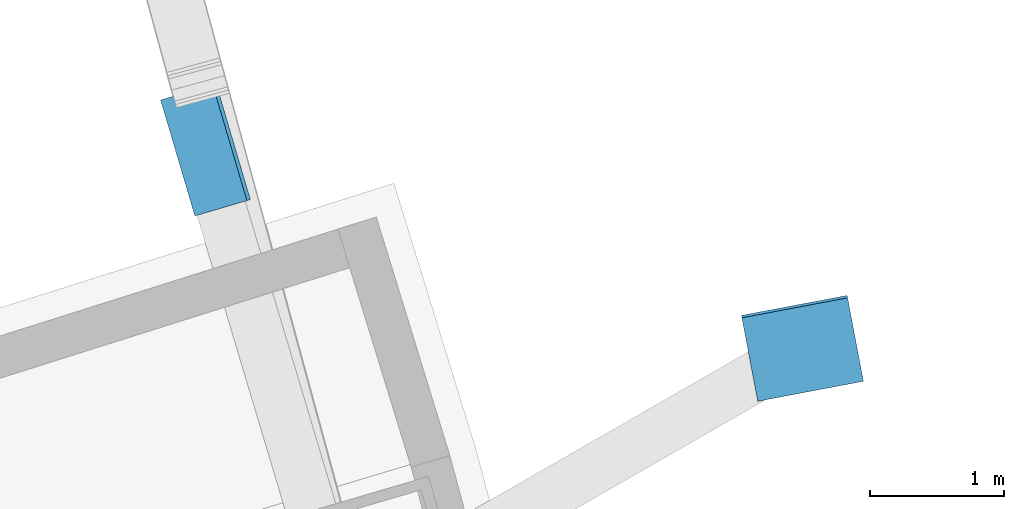
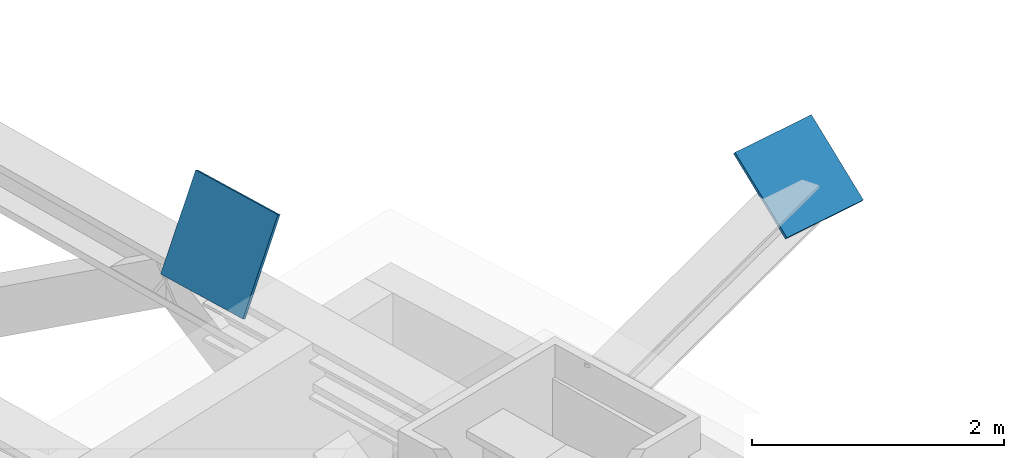
# One storey, part 21 of 26: 2 discrete accessories.
"""IFC4 building model written with IfcOpenShell, lengths in metres."""

from ifc_helpers import new_model, si_unit, direction, frame, origin, origin_2d, place, context, subcontext, project, spatial, rectangle, extrude, material, material_profile, profile_set, type_object, element, save


model = new_model("IFC4")

# Units and contexts
model_context = context("Model", 3, precision=1e-05, world=origin(), true_north=direction((0.0, 1.0)))
body_context = subcontext(model_context, "Body", "Model", "MODEL_VIEW")
ifc_project = project(units=[si_unit("LENGTHUNIT", "METRE"), si_unit("AREAUNIT", "SQUARE_METRE"), si_unit("VOLUMEUNIT", "CUBIC_METRE"), si_unit("PLANEANGLEUNIT", "RADIAN"), si_unit("MASSUNIT", "GRAM", prefix="KILO")], contexts=[model_context])

# Site, building, storey
site_placement = place(None, origin())
site = spatial("IfcSite", under=ifc_project, at=site_placement, CompositionType="ELEMENT")
building_placement = place(site_placement, origin())
building = spatial("IfcBuilding", under=site, at=building_placement, Name="Alderwake Tower", CompositionType="ELEMENT")
storey_placement = place(building_placement, frame((0.0, 0.0, 132.800048828125)))
storey = spatial("IfcBuildingStorey", under=building, at=storey_placement, Name="L32", CompositionType="ELEMENT", Elevation=132.800048828125)

# Discrete accessories
ifc_material_1 = material(Name="Steel ASTM A572 Grade 50", Category="steel")
ifc_material_profile_1 = material_profile(ifc_material_1, rectangle(XDim=0.800048828125, YDim=0.800048828125, at=origin_2d()), Name="BOX 800X800X50 cap")
ifc_profile_set_1 = profile_set([ifc_material_profile_1], Name="Steel ASTM A572 Grade 50")
discrete_accessory_type_1 = type_object("IfcDiscreteAccessoryType", Name="End cap plate BOX 800X800X50", PredefinedType="USERDEFINED", material=ifc_profile_set_1)
discrete_accessory_1_placement = place(storey_placement, frame((57.6689453125, 102.332275390625, 6.0), z_axis=(-0.114002129998, 0.602582687135, -0.789871900704), x_axis=(-0.982570245697, -0.185891668105, 0.0)))
element("IfcDiscreteAccessory", 1, at=discrete_accessory_1_placement, inside=storey, type_object=discrete_accessory_type_1, Name="End cap BRF3.1.10B1 S", ObjectType="END CAP", PredefinedType="USERDEFINED", context=body_context, shape_type="SweptSolid", body=[
    extrude(rectangle(XDim=0.800048828125, YDim=0.800048828125, at=origin_2d()), origin(), (0.0, 0.0, 1.0), 0.030029296875),
])
ifc_material_2 = material(Name="Steel ASTM A572 Grade 50", Category="steel")
ifc_material_profile_2 = material_profile(ifc_material_2, rectangle(XDim=0.89990234375, YDim=0.89990234375, at=origin_2d()), Name="BOX 900X900X55 cap")
ifc_profile_set_2 = profile_set([ifc_material_profile_2], Name="Steel ASTM A572 Grade 50")
discrete_accessory_type_2 = type_object("IfcDiscreteAccessoryType", Name="End cap plate BOX 900X900X55", PredefinedType="USERDEFINED", material=ifc_profile_set_2)
discrete_accessory_2_placement = place(storey_placement, frame((53.215087890625, 103.814208984375, 6.0), z_axis=(0.857007231578, 0.253021182656, -0.448908549874), x_axis=(-0.283155210121, 0.959074098796, 0.0)))
element("IfcDiscreteAccessory", 2, at=discrete_accessory_2_placement, inside=storey, type_object=discrete_accessory_type_2, Name="End cap BRN3.1.0B1 S", ObjectType="END CAP", PredefinedType="USERDEFINED", context=body_context, shape_type="SweptSolid", body=[
    extrude(rectangle(XDim=0.89990234375, YDim=0.89990234375, at=origin_2d()), origin(), (0.0, 0.0, 1.0), 0.030029296875),
])

save(model, "model.ifc")
